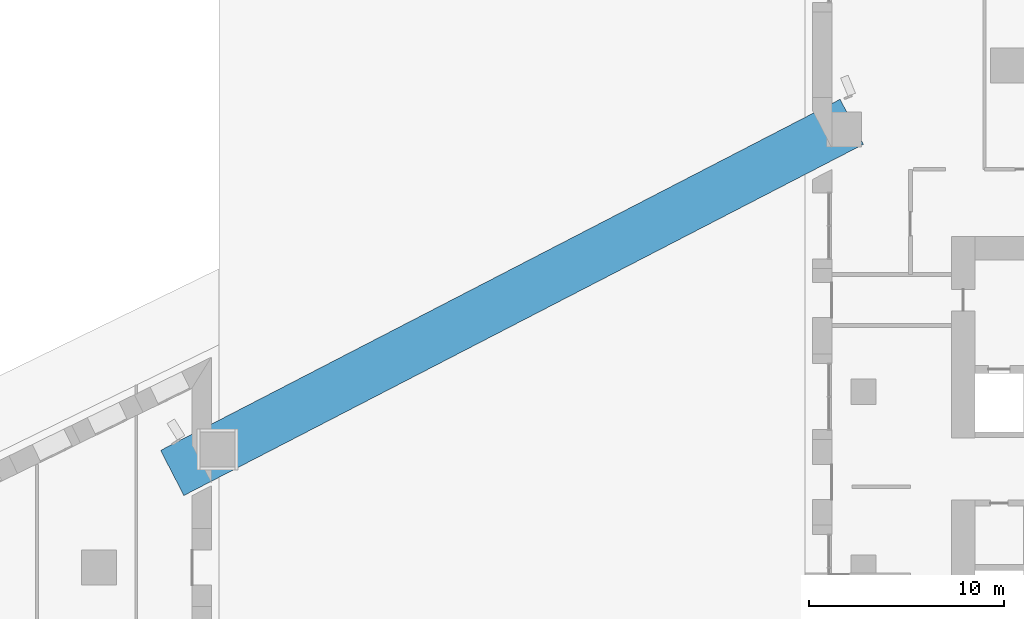
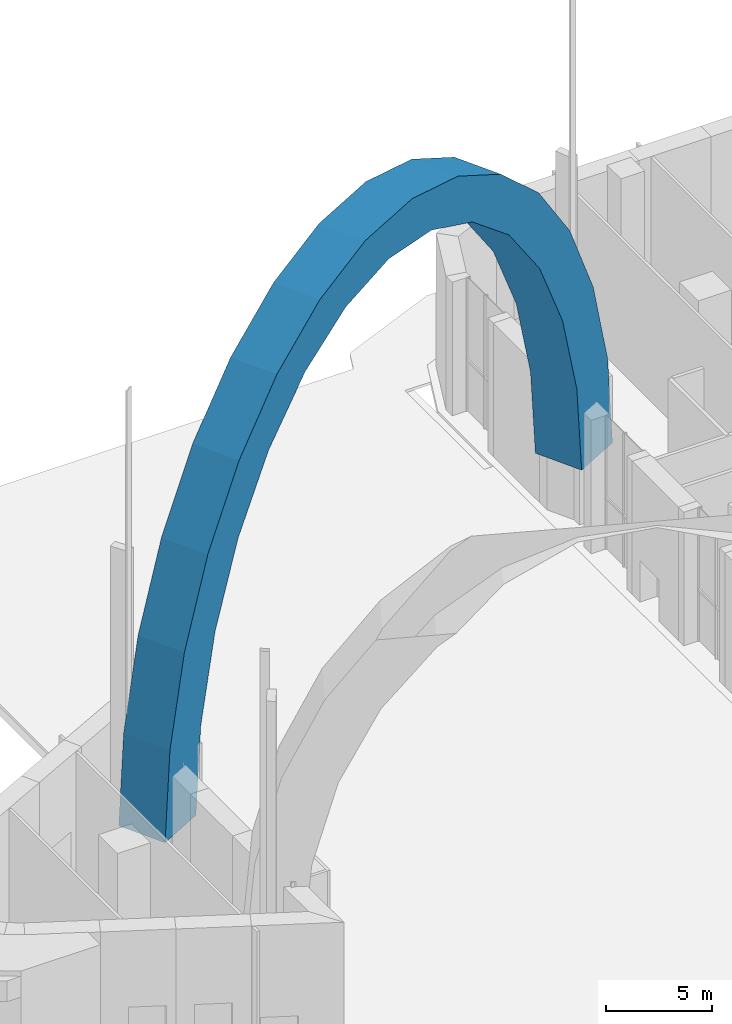
# One storey, part 5 of 22: 1 member.
"""IFC4 building model written with IfcOpenShell, lengths in metres."""

from ifc_helpers import new_model, si_unit, direction, frame, origin, origin_2d, place, context, subcontext, project, spatial, polyline, rectangle, outline, extrude, material, material_profile, profile_set, type_object, element, save


model = new_model("IFC4")

# Units and contexts
model_context = context("Model", 3, precision=1e-05, world=origin(), true_north=direction((0.0, 1.0)))
body_context = subcontext(model_context, "Body", "Model", "MODEL_VIEW")
ifc_project = project(units=[si_unit("LENGTHUNIT", "METRE"), si_unit("AREAUNIT", "SQUARE_METRE"), si_unit("VOLUMEUNIT", "CUBIC_METRE"), si_unit("PLANEANGLEUNIT", "RADIAN"), si_unit("MASSUNIT", "GRAM", prefix="KILO")], contexts=[model_context])

# Site, building, storey
site_placement = place(None, origin())
site = spatial("IfcSite", under=ifc_project, at=site_placement, CompositionType="ELEMENT")
building_placement = place(site_placement, origin())
building = spatial("IfcBuilding", under=site, at=building_placement, Name="Ostrand Prow Hotel Tower", CompositionType="ELEMENT")
storey_placement = place(building_placement, origin())
storey = spatial("IfcBuildingStorey", under=building, at=storey_placement, Name="L00", CompositionType="ELEMENT", Elevation=0.0)

# Member
ifc_material = material(Name="Concrete C80/95", Category="concrete")
ifc_material_profile = material_profile(ifc_material, rectangle(XDim=2.60009765625, YDim=2.39990234375, at=origin_2d()), Name="RC 2600x2400")
ifc_profile_set = profile_set([ifc_material_profile], Name="Concrete C80/95")
member_type = type_object("IfcMemberType", Name="Arch rib 2600x2400 C80/95", PredefinedType="BRACE", material=ifc_profile_set)
member_placement = place(storey_placement, frame((11.4033203125, 7.2421875, 4.0), z_axis=(-0.459072783611, 0.888398660139, 3.240806e-06), x_axis=(0.076029081371, 0.039283775032, 0.996331452783)))
element("IfcMember", 1, at=member_placement, inside=storey, type_object=member_type, Name="Arch rib N", PredefinedType="BRACE", context=body_context, shape_type="SweptSolid", body=[
    extrude(outline(polyline([(0.0, 0.0), (4.946858721386583, 5.551115123125783e-17), (9.718431650963911, 0.8434786496822961), (14.074876417463829, 2.4882414042596457), (17.798115697577764, 4.851647899565332), (20.7013319565618, 7.815598077982364), (22.638903203955344, 11.230947135809673), (23.51357781204481, 14.92686352451102), (23.281946082215708, 18.717474086649872), (21.955197802388938, 22.413536667256032), (19.59991585357903, 25.82882668776669), (16.33424985596045, 28.7926461597059), (12.32209420704196, 31.156216036980688), (7.764249036021747, 32.8010296588737), (2.8898572710145665, 33.64471496405918), (3.121040729764448, 36.336232521920195), (8.169942332484984, 35.473062478121015), (12.924845827353217, 33.79455637379749), (17.17815423538156, 31.374323623915355), (20.743673286706517, 28.318335915643168), (23.46597647623212, 24.75984500109079), (25.22559659149075, 20.854209004350086), (25.946072870408827, 16.772500034841194), (25.59568149655191, 12.693122821402435), (24.189710128929253, 8.794061563398628), (21.789850615570206, 5.245809696319691), (18.500587689895738, 2.2035598418646005), (14.46616047394559, -0.19964302332077422), (9.862442130272889, -1.8590035853638178), (4.8909421205598775, -2.702188802307311), (-0.23119242977193635, -2.6916219891355677), (0.0, 0.0)])), origin(), (0.0, 0.0, -1.0), 2.60009765625),
])

save(model, "model.ifc")
